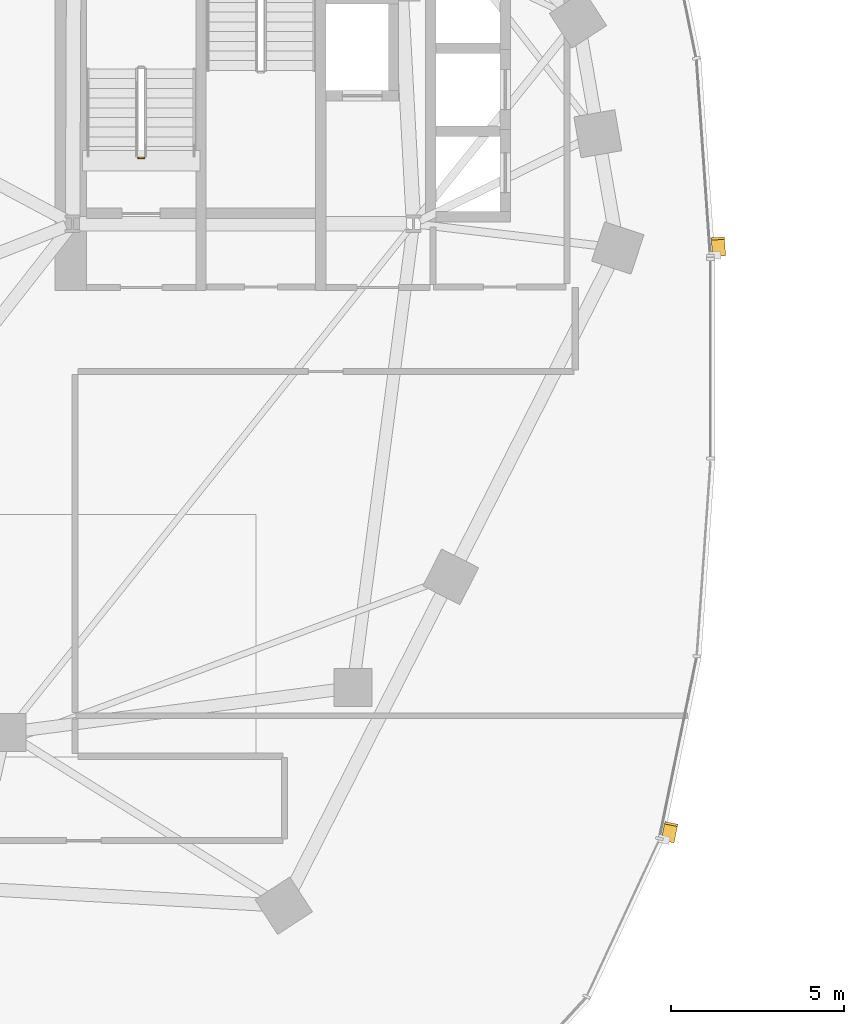
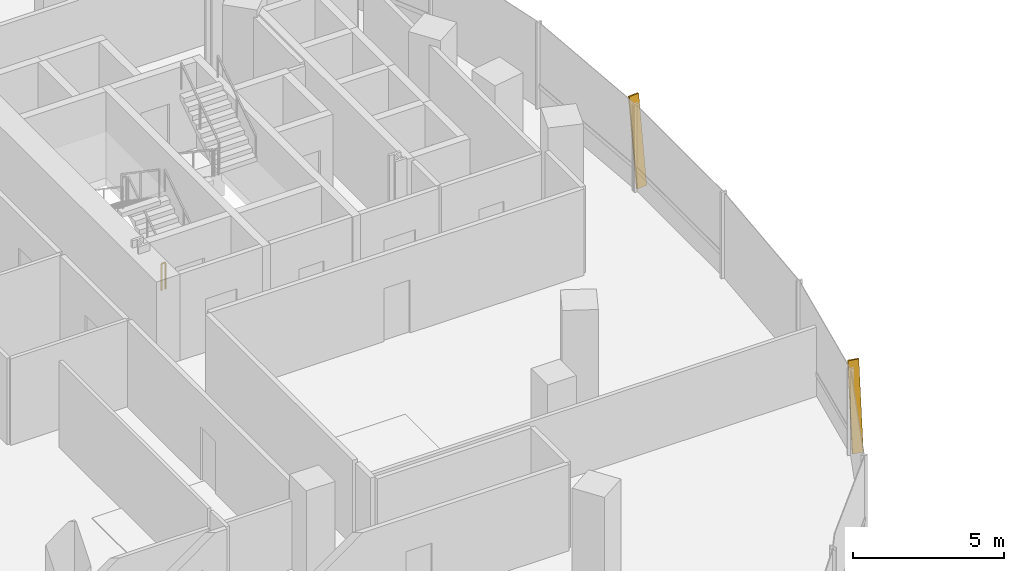
# One storey, part 18 of 21: 2 shading devices, 1 railing.
"""IFC4 building model written with IfcOpenShell, lengths in metres."""

from ifc_helpers import new_model, si_unit, direction, frame, origin, origin_2d, place, context, subcontext, project, spatial, rectangle, extrude, material, material_profile, profile_set, type_object, element, save


model = new_model("IFC4")

# Units and contexts
model_context = context("Model", 3, precision=1e-05, world=origin(), true_north=direction((0.0, 1.0)))
body_context = subcontext(model_context, "Body", "Model", "MODEL_VIEW")
ifc_project = project(units=[si_unit("LENGTHUNIT", "METRE"), si_unit("AREAUNIT", "SQUARE_METRE"), si_unit("VOLUMEUNIT", "CUBIC_METRE"), si_unit("PLANEANGLEUNIT", "RADIAN"), si_unit("MASSUNIT", "GRAM", prefix="KILO"), si_unit("THERMODYNAMICTEMPERATUREUNIT", "KELVIN"), si_unit("POWERUNIT", "WATT")], contexts=[model_context])

# Site, building, storey
site_placement = place(None, origin())
site = spatial("IfcSite", under=ifc_project, at=site_placement, CompositionType="ELEMENT")
building_placement = place(site_placement, origin())
building = spatial("IfcBuilding", under=site, at=building_placement, Name="Cundina Bronze Exchange", CompositionType="ELEMENT")
storey_placement = place(building_placement, frame((0.0, 0.0, 46.800048828125)))
storey = spatial("IfcBuildingStorey", under=building, at=storey_placement, Name="L11", CompositionType="ELEMENT", Elevation=46.800048828125)

# Railing
ifc_material_1 = material(Name="Steel ASTM A36 Painted", Category="steel")
railing_type = type_object("IfcRailingType", Name="RLG-STG-1100", PredefinedType="GUARDRAIL", material=ifc_material_1)
railing_placement = place(storey_placement, frame((-29.239990234375, 5.800048828125, 0.0)))
element("IfcRailing", 1, at=railing_placement, inside=storey, type_object=railing_type, Name="L11 ST-W1 stair guard 4", PredefinedType="GUARDRAIL", context=body_context, shape_type="SweptSolid", body=[
    extrude(rectangle(XDim=0.048095703125, YDim=0.048095703125, at=origin_2d()), frame((0.0, 0.0, 1.076171875), z_axis=(-1.0, 0.0, 0.0), x_axis=(0.0, -1.0, 0.0)), (0.0, 0.0, 1.0), 0.159912109375),
    extrude(rectangle(XDim=0.0419921875, YDim=0.0419921875, at=origin_2d()), origin(), (0.0, 0.0, 1.0), 1.052001953125),
    extrude(rectangle(XDim=0.0419921875, YDim=0.0419921875, at=origin_2d()), frame((-0.159912109375, 0.0, 0.0)), (0.0, 0.0, 1.0), 1.052001953125),
])

# Shading devices
ifc_material_2 = material(Name="Anodised Bronze Aluminium 6063-T6", Category="aluminium")
ifc_material_profile = material_profile(ifc_material_2, rectangle(XDim=0.070068359375, YDim=0.3798828125, at=origin_2d()), Name="FIN70X380", Category="aluminium")
ifc_profile_set = profile_set([ifc_material_profile], Name="Anodised Bronze Aluminium 6063-T6")
shading_device_type = type_object("IfcShadingDeviceType", Name="SHD-FIN-BRZ380", PredefinedType="USERDEFINED", material=ifc_profile_set)
for number, where, z_axis, x_axis, name in (
    (2, (-12.6259765625, 2.993896484375, 0.02001953125), (-0.009645159174, 0.137059109714, 0.990515911709), (0.06953288269, -0.988072340253, 0.137398066402), "L11 Diagonal Bronze Solar Fin 1"),
    (3, (-14.10400390625, -13.911865234375, 0.02001953125), (0.027747134956, 0.134612045151, 0.990509815096), (-0.199966585563, -0.970114971774, 0.137442010309), "L11 Diagonal Bronze Solar Fin 5"),
):
    element("IfcShadingDevice", number, at=place(storey_placement, frame(where, z_axis=z_axis, x_axis=x_axis)), inside=storey, type_object=shading_device_type, Name=name, ObjectType="FIN", PredefinedType="USERDEFINED", context=body_context, shape_type="SweptSolid", body=[
        extrude(rectangle(XDim=0.070068359375, YDim=0.3798828125, at=origin_2d()), origin(), (0.0, 0.0, 1.0), 3.4931640625),
    ])

save(model, "model.ifc")
